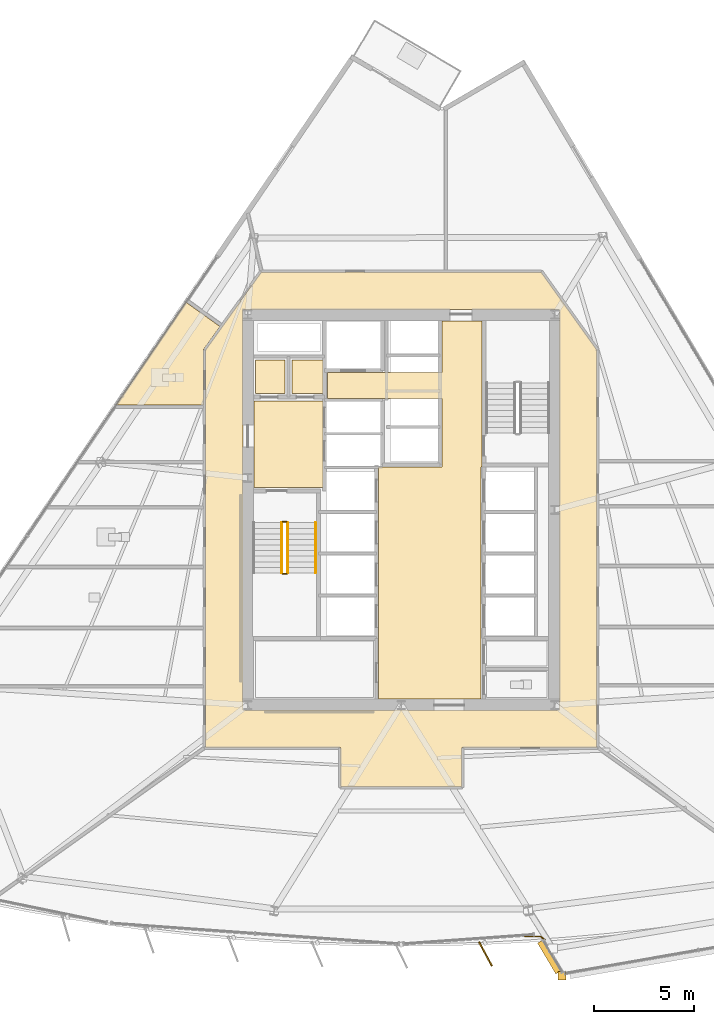
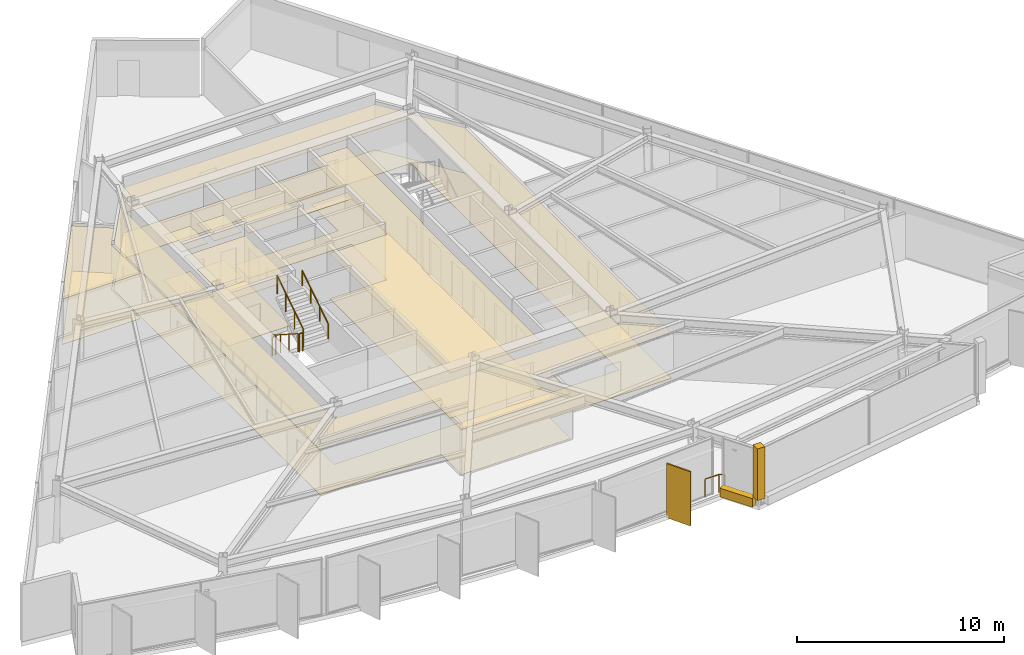
# One storey, part 12 of 15: 14 coverings, 6 railings, 1 shading device.
"""IFC4 building model written with IfcOpenShell, lengths in metres."""

from ifc_helpers import new_model, si_unit, direction, frame, origin, origin_2d, place, context, subcontext, project, spatial, polyline, rectangle, circle, outline, extrude, material, layer, layer_set, type_object, element, save


model = new_model("IFC4")

# Units and contexts
model_context = context("Model", 3, precision=1e-05, world=origin(), true_north=direction((0.0, 1.0)))
body_context = subcontext(model_context, "Body", "Model", "MODEL_VIEW")
ifc_project = project(units=[si_unit("LENGTHUNIT", "METRE"), si_unit("AREAUNIT", "SQUARE_METRE"), si_unit("VOLUMEUNIT", "CUBIC_METRE"), si_unit("PLANEANGLEUNIT", "RADIAN"), si_unit("MASSUNIT", "GRAM", prefix="KILO")], contexts=[model_context])

# Site, building, storey
site_placement = place(None, origin())
site = spatial("IfcSite", under=ifc_project, at=site_placement, CompositionType="ELEMENT")
building_placement = place(site_placement, origin())
building = spatial("IfcBuilding", under=site, at=building_placement, Name="Savorim Split Tower", CompositionType="ELEMENT")
storey_placement = place(building_placement, frame((0.0, 0.0, 93.300048828125)))
storey = spatial("IfcBuildingStorey", under=building, at=storey_placement, Name="L24", CompositionType="ELEMENT", Elevation=93.300048828125)

# Coverings
ifc_material_1 = material(Name="Mineral Fibre Acoustic Ceiling")
ifc_layer_1 = layer(ifc_material_1, 0.02490234375)
ifc_layer_set_1 = layer_set([ifc_layer_1], Name="COV-CEIL-25")
covering_type_1 = type_object("IfcCoveringType", Name="COV-CEIL-25", PredefinedType="CEILING", material=ifc_layer_set_1)
covering_1_placement = place(storey_placement, frame((0.0, 0.0, 2.669921875)))
element("IfcCovering", 1, at=covering_1_placement, inside=storey, type_object=covering_type_1, Name="L24 Firefighting Lift Lobby Acoustic Ceiling", PredefinedType="CEILING", context=body_context, shape_type="SweptSolid", body=[
    extrude(outline(polyline([(-7.3798828125, 5.8701171875), (-7.3798828125, 1.530029296875), (-3.929931640625, 1.530029296875), (-3.929931640625, 5.8701171875), (-7.3798828125, 5.8701171875)])), origin(), (0.0, 0.0, 1.0), 0.025146484375),
])
covering_2_placement = place(storey_placement, frame((0.0, 0.0, 2.669921875)))
element("IfcCovering", 2, at=covering_2_placement, inside=storey, type_object=covering_type_1, Name="L24 Electrical Riser Acoustic Ceiling", PredefinedType="CEILING", context=body_context, shape_type="SweptSolid", body=[
    extrude(outline(polyline([(-7.320068359375, 7.919921875), (-7.320068359375, 6.22998046875), (-5.830078125, 6.22998046875), (-5.830078125, 7.919921875), (-7.320068359375, 7.919921875)])), origin(), (0.0, 0.0, 1.0), 0.025146484375),
])
covering_3_placement = place(storey_placement, frame((0.0, 0.0, 2.669921875)))
element("IfcCovering", 3, at=covering_3_placement, inside=storey, type_object=covering_type_1, Name="L24 Telecom Riser Acoustic Ceiling", PredefinedType="CEILING", context=body_context, shape_type="SweptSolid", body=[
    extrude(outline(polyline([(-5.469970703125, 7.919921875), (-5.469970703125, 6.22998046875), (-3.929931640625, 6.22998046875), (-3.929931640625, 7.919921875), (-5.469970703125, 7.919921875)])), origin(), (0.0, 0.0, 1.0), 0.025146484375),
])
covering_4_placement = place(storey_placement, frame((0.0, 0.0, 2.669921875)))
element("IfcCovering", 4, at=covering_4_placement, inside=storey, type_object=covering_type_1, Name="L24 Lift Lobby Acoustic Ceiling", PredefinedType="CEILING", context=body_context, shape_type="SweptSolid", body=[
    extrude(outline(polyline([(2.050048828125, 2.550048828125), (-1.14990234375, 2.550048828125), (-1.14990234375, -9.10009765625), (4.0, -9.10009765625), (4.0, 2.550048828125), (4.050048828125, 2.550048828125), (4.050048828125, 5.97998046875), (4.050048828125, 7.300048828125), (4.050048828125, 9.8798828125), (2.050048828125, 9.8798828125), (2.050048828125, 7.300048828125), (-3.699951171875, 7.300048828125), (-3.699951171875, 5.97998046875), (2.050048828125, 5.97998046875), (2.050048828125, 2.550048828125)])), origin(), (0.0, 0.0, 1.0), 0.025146484375),
])
covering_5_placement = place(storey_placement, frame((0.0, 0.0, 2.669921875)))
element("IfcCovering", 5, at=covering_5_placement, inside=storey, type_object=covering_type_1, Name="L24 Corridor Acoustic Ceiling", PredefinedType="CEILING", context=body_context, shape_type="SweptSolid", body=[
    extrude(outline(polyline([(7.009521484375, 12.3291015625), (7.004638671875, 12.329833984375), (7.0, 12.330078125), (-7.0, 12.330078125), (-7.004638671875, 12.329833984375), (-7.009521484375, 12.3291015625), (-7.013916015625, 12.327880859375), (-7.0185546875, 12.326416015625), (-7.022705078125, 12.324462890625), (-7.027099609375, 12.322021484375), (-7.03076171875, 12.3193359375), (-7.034423828125, 12.31640625), (-7.03759765625, 12.312744140625), (-7.04052734375, 12.30908203125), (-9.820556640625, 8.42919921875), (-9.823486328125, 8.4248046875), (-9.82568359375, 8.420166015625), (-9.82763671875, 8.415283203125), (-9.828857421875, 8.410400390625), (-9.82958984375, 8.4052734375), (-9.830078125, 8.39990234375), (-9.830078125, -11.47998046875), (-9.829833984375, -11.48486328125), (-9.8291015625, -11.48974609375), (-9.827880859375, -11.494384765625), (-9.826171875, -11.4990234375), (-9.82421875, -11.503662109375), (-9.821533203125, -11.5078125), (-9.818603515625, -11.51171875), (-9.8154296875, -11.515380859375), (-9.811767578125, -11.518798828125), (-9.807861328125, -11.521484375), (-9.8037109375, -11.524169921875), (-9.799072265625, -11.526123046875), (-9.79443359375, -11.52783203125), (-9.789794921875, -11.529052734375), (-9.784912109375, -11.52978515625), (-9.780029296875, -11.530029296875), (-3.050048828125, -11.530029296875), (-3.050048828125, -13.449951171875), (-3.0498046875, -13.454833984375), (-3.049072265625, -13.459716796875), (-3.0478515625, -13.464599609375), (-3.046142578125, -13.468994140625), (-3.044189453125, -13.4736328125), (-3.04150390625, -13.477783203125), (-3.038818359375, -13.481689453125), (-3.035400390625, -13.4853515625), (-3.03173828125, -13.48876953125), (-3.02783203125, -13.49169921875), (-3.023681640625, -13.494140625), (-3.01904296875, -13.49609375), (-3.014404296875, -13.497802734375), (-3.009765625, -13.4990234375), (-3.0048828125, -13.499755859375), (-3.0, -13.5), (3.0, -13.5), (3.0048828125, -13.499755859375), (3.009765625, -13.4990234375), (3.014404296875, -13.497802734375), (3.01904296875, -13.49609375), (3.023681640625, -13.494140625), (3.02783203125, -13.49169921875), (3.03173828125, -13.48876953125), (3.035400390625, -13.4853515625), (3.038818359375, -13.481689453125), (3.04150390625, -13.477783203125), (3.044189453125, -13.4736328125), (3.046142578125, -13.468994140625), (3.0478515625, -13.464599609375), (3.049072265625, -13.459716796875), (3.0498046875, -13.454833984375), (3.050048828125, -13.449951171875), (3.050048828125, -11.530029296875), (9.780029296875, -11.530029296875), (9.784912109375, -11.52978515625), (9.789794921875, -11.529052734375), (9.79443359375, -11.52783203125), (9.799072265625, -11.526123046875), (9.8037109375, -11.524169921875), (9.807861328125, -11.521484375), (9.811767578125, -11.518798828125), (9.8154296875, -11.515380859375), (9.818603515625, -11.51171875), (9.821533203125, -11.5078125), (9.82421875, -11.503662109375), (9.826171875, -11.4990234375), (9.827880859375, -11.494384765625), (9.8291015625, -11.48974609375), (9.829833984375, -11.48486328125), (9.830078125, -11.47998046875), (9.830078125, 8.39990234375), (9.82958984375, 8.4052734375), (9.828857421875, 8.410400390625), (9.82763671875, 8.415283203125), (9.82568359375, 8.420166015625), (9.823486328125, 8.4248046875), (9.820556640625, 8.42919921875), (7.04052734375, 12.30908203125), (7.03759765625, 12.312744140625), (7.034423828125, 12.31640625), (7.03076171875, 12.3193359375), (7.027099609375, 12.322021484375), (7.022705078125, 12.324462890625), (7.0185546875, 12.326416015625), (7.013916015625, 12.327880859375), (7.009521484375, 12.3291015625)]), holes=[polyline([(-7.949951171875, 10.449951171875), (-7.949951171875, -9.64990234375), (7.949951171875, -9.64990234375), (7.949951171875, 10.449951171875), (-7.949951171875, 10.449951171875)])]), origin(), (0.0, 0.0, 1.0), 0.025146484375),
])
covering_6_placement = place(storey_placement, frame((0.0, 0.0, 2.669921875)))
element("IfcCovering", 6, at=covering_6_placement, inside=storey, type_object=covering_type_1, Name="L24 Shared Bathroom Acoustic Ceiling", PredefinedType="CEILING", context=body_context, shape_type="SweptSolid", body=[
    extrude(outline(polyline([(-9.908203125, 8.456298828125), (-9.901611328125, 8.46923828125), (-9.893798828125, 8.4814453125), (-9.095703125, 9.59521484375), (-10.796875, 10.81396484375), (-14.3017578125, 5.66162109375), (-9.919921875, 5.66162109375), (-9.919921875, 8.39990234375), (-9.919189453125, 8.41455078125), (-9.9169921875, 8.4287109375), (-9.913330078125, 8.44287109375), (-9.908203125, 8.456298828125)])), origin(), (0.0, 0.0, 1.0), 0.025146484375),
])
ifc_material_2 = material(Name="Porcelain Stoneware Flooring", Category="masonry")
ifc_layer_2 = layer(ifc_material_2, 0.02001953125)
ifc_layer_set_2 = layer_set([ifc_layer_2], Name="COV-FLOR-20")
covering_type_2 = type_object("IfcCoveringType", Name="COV-FLOR-20", PredefinedType="FLOORING", material=ifc_layer_set_2)
covering_7_placement = place(storey_placement, origin())
element("IfcCovering", 7, at=covering_7_placement, inside=storey, type_object=covering_type_2, Name="L24 Firefighting Lift Lobby Porcelain Flooring", PredefinedType="FLOORING", context=body_context, shape_type="SweptSolid", body=[
    extrude(outline(polyline([(-7.3798828125, 5.8701171875), (-7.3798828125, 1.530029296875), (-3.929931640625, 1.530029296875), (-3.929931640625, 5.8701171875), (-7.3798828125, 5.8701171875)])), origin(), (0.0, 0.0, 1.0), 0.02001953125),
])
covering_8_placement = place(storey_placement, origin())
element("IfcCovering", 8, at=covering_8_placement, inside=storey, type_object=covering_type_2, Name="L24 Electrical Riser Porcelain Flooring", PredefinedType="FLOORING", context=body_context, shape_type="SweptSolid", body=[
    extrude(outline(polyline([(-7.320068359375, 7.919921875), (-7.320068359375, 6.22998046875), (-5.830078125, 6.22998046875), (-5.830078125, 7.919921875), (-7.320068359375, 7.919921875)])), origin(), (0.0, 0.0, 1.0), 0.02001953125),
])
covering_9_placement = place(storey_placement, origin())
element("IfcCovering", 9, at=covering_9_placement, inside=storey, type_object=covering_type_2, Name="L24 Telecom Riser Porcelain Flooring", PredefinedType="FLOORING", context=body_context, shape_type="SweptSolid", body=[
    extrude(outline(polyline([(-5.469970703125, 7.919921875), (-5.469970703125, 6.22998046875), (-3.929931640625, 6.22998046875), (-3.929931640625, 7.919921875), (-5.469970703125, 7.919921875)])), origin(), (0.0, 0.0, 1.0), 0.02001953125),
])
covering_10_placement = place(storey_placement, origin())
element("IfcCovering", 10, at=covering_10_placement, inside=storey, type_object=covering_type_2, Name="L24 Lift Lobby Porcelain Flooring", PredefinedType="FLOORING", context=body_context, shape_type="SweptSolid", body=[
    extrude(outline(polyline([(2.050048828125, 2.550048828125), (-1.14990234375, 2.550048828125), (-1.14990234375, -9.10009765625), (4.0, -9.10009765625), (4.0, 2.550048828125), (4.050048828125, 2.550048828125), (4.050048828125, 5.97998046875), (4.050048828125, 7.300048828125), (4.050048828125, 9.8798828125), (2.050048828125, 9.8798828125), (2.050048828125, 7.300048828125), (-3.699951171875, 7.300048828125), (-3.699951171875, 5.97998046875), (2.050048828125, 5.97998046875), (2.050048828125, 2.550048828125)])), origin(), (0.0, 0.0, 1.0), 0.02001953125),
])
covering_11_placement = place(storey_placement, origin())
element("IfcCovering", 11, at=covering_11_placement, inside=storey, type_object=covering_type_2, Name="L24 Corridor Porcelain Flooring", PredefinedType="FLOORING", context=body_context, shape_type="SweptSolid", body=[
    extrude(outline(polyline([(7.009521484375, 12.3291015625), (7.004638671875, 12.329833984375), (7.0, 12.330078125), (-7.0, 12.330078125), (-7.004638671875, 12.329833984375), (-7.009521484375, 12.3291015625), (-7.013916015625, 12.327880859375), (-7.0185546875, 12.326416015625), (-7.022705078125, 12.324462890625), (-7.027099609375, 12.322021484375), (-7.03076171875, 12.3193359375), (-7.034423828125, 12.31640625), (-7.03759765625, 12.312744140625), (-7.04052734375, 12.30908203125), (-9.820556640625, 8.42919921875), (-9.823486328125, 8.4248046875), (-9.82568359375, 8.420166015625), (-9.82763671875, 8.415283203125), (-9.828857421875, 8.410400390625), (-9.82958984375, 8.4052734375), (-9.830078125, 8.39990234375), (-9.830078125, -11.47998046875), (-9.829833984375, -11.48486328125), (-9.8291015625, -11.48974609375), (-9.827880859375, -11.494384765625), (-9.826171875, -11.4990234375), (-9.82421875, -11.503662109375), (-9.821533203125, -11.5078125), (-9.818603515625, -11.51171875), (-9.8154296875, -11.515380859375), (-9.811767578125, -11.518798828125), (-9.807861328125, -11.521484375), (-9.8037109375, -11.524169921875), (-9.799072265625, -11.526123046875), (-9.79443359375, -11.52783203125), (-9.789794921875, -11.529052734375), (-9.784912109375, -11.52978515625), (-9.780029296875, -11.530029296875), (-3.050048828125, -11.530029296875), (-3.050048828125, -13.449951171875), (-3.0498046875, -13.454833984375), (-3.049072265625, -13.459716796875), (-3.0478515625, -13.464599609375), (-3.046142578125, -13.468994140625), (-3.044189453125, -13.4736328125), (-3.04150390625, -13.477783203125), (-3.038818359375, -13.481689453125), (-3.035400390625, -13.4853515625), (-3.03173828125, -13.48876953125), (-3.02783203125, -13.49169921875), (-3.023681640625, -13.494140625), (-3.01904296875, -13.49609375), (-3.014404296875, -13.497802734375), (-3.009765625, -13.4990234375), (-3.0048828125, -13.499755859375), (-3.0, -13.5), (3.0, -13.5), (3.0048828125, -13.499755859375), (3.009765625, -13.4990234375), (3.014404296875, -13.497802734375), (3.01904296875, -13.49609375), (3.023681640625, -13.494140625), (3.02783203125, -13.49169921875), (3.03173828125, -13.48876953125), (3.035400390625, -13.4853515625), (3.038818359375, -13.481689453125), (3.04150390625, -13.477783203125), (3.044189453125, -13.4736328125), (3.046142578125, -13.468994140625), (3.0478515625, -13.464599609375), (3.049072265625, -13.459716796875), (3.0498046875, -13.454833984375), (3.050048828125, -13.449951171875), (3.050048828125, -11.530029296875), (9.780029296875, -11.530029296875), (9.784912109375, -11.52978515625), (9.789794921875, -11.529052734375), (9.79443359375, -11.52783203125), (9.799072265625, -11.526123046875), (9.8037109375, -11.524169921875), (9.807861328125, -11.521484375), (9.811767578125, -11.518798828125), (9.8154296875, -11.515380859375), (9.818603515625, -11.51171875), (9.821533203125, -11.5078125), (9.82421875, -11.503662109375), (9.826171875, -11.4990234375), (9.827880859375, -11.494384765625), (9.8291015625, -11.48974609375), (9.829833984375, -11.48486328125), (9.830078125, -11.47998046875), (9.830078125, 8.39990234375), (9.82958984375, 8.4052734375), (9.828857421875, 8.410400390625), (9.82763671875, 8.415283203125), (9.82568359375, 8.420166015625), (9.823486328125, 8.4248046875), (9.820556640625, 8.42919921875), (7.04052734375, 12.30908203125), (7.03759765625, 12.312744140625), (7.034423828125, 12.31640625), (7.03076171875, 12.3193359375), (7.027099609375, 12.322021484375), (7.022705078125, 12.324462890625), (7.0185546875, 12.326416015625), (7.013916015625, 12.327880859375), (7.009521484375, 12.3291015625)]), holes=[polyline([(-7.949951171875, 10.449951171875), (-7.949951171875, -9.64990234375), (7.949951171875, -9.64990234375), (7.949951171875, 10.449951171875), (-7.949951171875, 10.449951171875)])]), origin(), (0.0, 0.0, 1.0), 0.02001953125),
])
covering_12_placement = place(storey_placement, origin())
element("IfcCovering", 12, at=covering_12_placement, inside=storey, type_object=covering_type_2, Name="L24 Shared Bathroom Porcelain Flooring", PredefinedType="FLOORING", context=body_context, shape_type="SweptSolid", body=[
    extrude(outline(polyline([(-9.908203125, 8.456298828125), (-9.901611328125, 8.46923828125), (-9.893798828125, 8.4814453125), (-9.095703125, 9.59521484375), (-10.796875, 10.81396484375), (-14.3017578125, 5.66162109375), (-9.919921875, 5.66162109375), (-9.919921875, 8.39990234375), (-9.919189453125, 8.41455078125), (-9.9169921875, 8.4287109375), (-9.913330078125, 8.44287109375), (-9.908203125, 8.456298828125)])), origin(), (0.0, 0.0, 1.0), 0.02001953125),
])
ifc_material_3 = material(Name="White Porcelain Architectural Cladding")
ifc_layer_3 = layer(ifc_material_3, 0.139892578125)
ifc_layer_set_3 = layer_set([ifc_layer_3], Name="COV-FRM-WHITE")
covering_type_3 = type_object("IfcCoveringType", Name="COV-FRM-WHITE", PredefinedType="CLADDING", material=ifc_layer_set_3)
covering_13_placement = place(storey_placement, frame((0.0, 0.0, 0.010009765625)))
element("IfcCovering", 13, at=covering_13_placement, inside=storey, type_object=covering_type_3, Name="L24 Cantilevered Lounge White Lower Frame Band W", PredefinedType="CLADDING", context=body_context, shape_type="SweptSolid", body=[
    extrude(outline(polyline([(6.837890625, -21.34130859375), (7.757080078125, -22.888671875), (8.049560546875, -22.715087890625), (7.130126953125, -21.16748046875), (6.837890625, -21.34130859375)])), origin(), (0.0, 0.0, 1.0), 0.510009765625),
])
covering_14_placement = place(storey_placement, frame((0.0, 0.0, 0.5400390625)))
element("IfcCovering", 14, at=covering_14_placement, inside=storey, type_object=covering_type_3, Name="L24 Cantilevered Lounge White Frame Corner Post 1", PredefinedType="CLADDING", context=body_context, shape_type="SweptSolid", body=[
    extrude(outline(polyline([(7.85888671875, -23.192626953125), (8.27880859375, -23.192626953125), (8.27880859375, -22.772705078125), (7.85888671875, -22.772705078125), (7.85888671875, -23.192626953125)])), origin(), (0.0, 0.0, 1.0), 3.0498046875),
])

# Railings
ifc_material_4 = material(Name="Galvanised Painted Steel Balustrade", Category="steel")
railing_type_1 = type_object("IfcRailingType", Name="RLG-BAL-1100", PredefinedType="BALUSTRADE", material=ifc_material_4)
railing_1_placement = place(storey_placement, frame((6.2060546875, -21.010009765625, 0.0)))
element("IfcRailing", 15, at=railing_1_placement, inside=storey, type_object=railing_type_1, Name="L24 Cantilevered Lounge West Edge Closure Guard", PredefinedType="BALUSTRADE", context=body_context, shape_type="SweptSolid", body=[
    extrude(circle(Radius=0.02392578125, at=origin_2d()), frame((0.0, 0.0, 1.076171875), z_axis=(1.0, 0.0, 0.0), x_axis=(0.0, 1.0, 0.0)), (0.0, 0.0, 1.0), 0.780029296875),
    extrude(circle(Radius=0.02392578125, at=origin_2d()), frame((0.780029296875, 0.0, 1.076171875), z_axis=(0.804032223683, -0.59458572408, 0.0), x_axis=(0.59458572408, 0.804032223683, 0.0)), (0.0, 0.0, 1.0), 0.281982421875),
    extrude(circle(Radius=0.02099609375, at=origin_2d()), origin(), (0.0, 0.0, 1.0), 1.052001953125),
    extrude(circle(Radius=0.02099609375, at=origin_2d()), frame((0.780029296875, 0.0, 0.0)), (0.0, 0.0, 1.0), 1.052001953125),
    extrude(circle(Radius=0.02099609375, at=origin_2d()), frame((1.0068359375, -0.167724609375, 0.0)), (0.0, 0.0, 1.0), 1.052001953125),
])
railing_type_2 = type_object("IfcRailingType", Name="RLG-HR-900", PredefinedType="HANDRAIL", material=ifc_material_4)
railing_2_placement = place(storey_placement, frame((-4.300048828125, -2.77001953125, 1.97998046875)))
element("IfcRailing", 16, at=railing_2_placement, inside=storey, type_object=railing_type_2, Name="L24 ST-1 stair handrail 2", PredefinedType="HANDRAIL", context=body_context, shape_type="SweptSolid", body=[
    extrude(circle(Radius=0.02392578125, at=origin_2d()), frame((0.0, 0.0, 0.8759765625), z_axis=(0.0, 0.841199657755, 0.540724639528), x_axis=(-1.0, 0.0, 0.0)), (0.0, 0.0, 1.0), 2.995849609375),
    extrude(circle(Radius=0.02099609375, at=origin_2d()), origin(), (0.0, 0.0, 1.0), 0.851806640625),
    extrude(circle(Radius=0.02099609375, at=origin_2d()), frame((0.0, 0.840087890625, 0.5400390625)), (0.0, 0.0, 1.0), 0.851806640625),
    extrude(circle(Radius=0.02099609375, at=origin_2d()), frame((0.0, 1.679931640625, 1.079833984375)), (0.0, 0.0, 1.0), 0.851806640625),
    extrude(circle(Radius=0.02099609375, at=origin_2d()), frame((0.0, 2.52001953125, 1.619873046875)), (0.0, 0.0, 1.0), 0.851806640625),
])
railing_type_3 = type_object("IfcRailingType", Name="RLG-STG-1100", PredefinedType="BALUSTRADE", material=ifc_material_4)
railing_3_placement = place(storey_placement, frame((-6.0, -0.25, 0.179931640625)))
element("IfcRailing", 17, at=railing_3_placement, inside=storey, type_object=railing_type_3, Name="L24 ST-1 stair guard 1", PredefinedType="BALUSTRADE", context=body_context, shape_type="SweptSolid", body=[
    extrude(circle(Radius=0.02392578125, at=origin_2d()), frame((0.0, 0.0, 1.076171875), z_axis=(0.0, -0.841162588446, 0.540782303519), x_axis=(1.0, 0.0, 0.0)), (0.0, 0.0, 1.0), 2.995849609375),
    extrude(circle(Radius=0.02099609375, at=origin_2d()), origin(), (0.0, 0.0, 1.0), 1.052001953125),
    extrude(circle(Radius=0.02099609375, at=origin_2d()), frame((0.0, -0.840087890625, 0.5400390625)), (0.0, 0.0, 1.0), 1.052001953125),
    extrude(circle(Radius=0.02099609375, at=origin_2d()), frame((0.0, -1.679931640625, 1.080078125)), (0.0, 0.0, 1.0), 1.052001953125),
    extrude(circle(Radius=0.02099609375, at=origin_2d()), frame((0.0, -2.52001953125, 1.6201171875)), (0.0, 0.0, 1.0), 1.052001953125),
])
railing_4_placement = place(storey_placement, frame((-5.949951171875, -2.820068359375, 1.800048828125)))
element("IfcRailing", 18, at=railing_4_placement, inside=storey, type_object=railing_type_3, Name="L24 ST-1 stair guard 2", PredefinedType="BALUSTRADE", context=body_context, shape_type="SweptSolid", body=[
    extrude(circle(Radius=0.02392578125, at=origin_2d()), frame((0.0, 0.0, 1.076171875), z_axis=(1.0, 0.0, 0.0), x_axis=(0.0, 1.0, 0.0)), (0.0, 0.0, 1.0), 0.199951171875),
    extrude(circle(Radius=0.02099609375, at=origin_2d()), origin(), (0.0, 0.0, 1.0), 1.052001953125),
    extrude(circle(Radius=0.02099609375, at=origin_2d()), frame((0.199951171875, 0.0, 0.0)), (0.0, 0.0, 1.0), 1.052001953125),
])
railing_5_placement = place(storey_placement, frame((-5.699951171875, -2.77001953125, 1.97998046875)))
element("IfcRailing", 19, at=railing_5_placement, inside=storey, type_object=railing_type_3, Name="L24 ST-1 stair guard 3", PredefinedType="BALUSTRADE", context=body_context, shape_type="SweptSolid", body=[
    extrude(circle(Radius=0.02392578125, at=origin_2d()), frame((0.0, 0.0, 1.076171875), z_axis=(0.0, 0.841199657755, 0.540724639528), x_axis=(-1.0, 0.0, 0.0)), (0.0, 0.0, 1.0), 2.995849609375),
    extrude(circle(Radius=0.02099609375, at=origin_2d()), origin(), (0.0, 0.0, 1.0), 1.052001953125),
    extrude(circle(Radius=0.02099609375, at=origin_2d()), frame((0.0, 0.840087890625, 0.5400390625)), (0.0, 0.0, 1.0), 1.052001953125),
    extrude(circle(Radius=0.02099609375, at=origin_2d()), frame((0.0, 1.679931640625, 1.079833984375)), (0.0, 0.0, 1.0), 1.052001953125),
    extrude(circle(Radius=0.02099609375, at=origin_2d()), frame((0.0, 2.52001953125, 1.619873046875)), (0.0, 0.0, 1.0), 1.052001953125),
])
railing_6_placement = place(storey_placement, frame((-5.949951171875, -0.199951171875, 0.0)))
element("IfcRailing", 20, at=railing_6_placement, inside=storey, type_object=railing_type_3, Name="L24 ST-1 stair guard 4", PredefinedType="BALUSTRADE", context=body_context, shape_type="SweptSolid", body=[
    extrude(circle(Radius=0.02392578125, at=origin_2d()), frame((0.0, 0.0, 1.076171875), z_axis=(1.0, 0.0, 0.0), x_axis=(0.0, 1.0, 0.0)), (0.0, 0.0, 1.0), 0.199951171875),
    extrude(circle(Radius=0.02099609375, at=origin_2d()), origin(), (0.0, 0.0, 1.0), 1.052001953125),
    extrude(circle(Radius=0.02099609375, at=origin_2d()), frame((0.199951171875, 0.0, 0.0)), (0.0, 0.0, 1.0), 1.052001953125),
])

# Shading device
ifc_material_5 = material(Name="Terracotta Ceramic-Coated Aluminium Fin", Category="masonry")
shading_device_type = type_object("IfcShadingDeviceType", Name="SHD-FIN-1360", PredefinedType="USERDEFINED", material=ifc_material_5)
shading_device_placement = place(storey_placement, frame((4.227294921875, -21.890380859375, -0.2001953125), z_axis=(0.0, 0.0, 1.0), x_axis=(0.474778051978, -0.880105562623, 0.0)))
element("IfcShadingDevice", 21, at=shading_device_placement, inside=storey, type_object=shading_device_type, Name="L24 Sawtooth Shading Fin 08", ObjectType="FIN", PredefinedType="USERDEFINED", context=body_context, shape_type="SweptSolid", body=[
    extrude(rectangle(XDim=1.360107421875, YDim=0.080078125, at=origin_2d()), origin(), (0.0, 0.0, 1.0), 3.199951171875),
])

save(model, "model.ifc")
